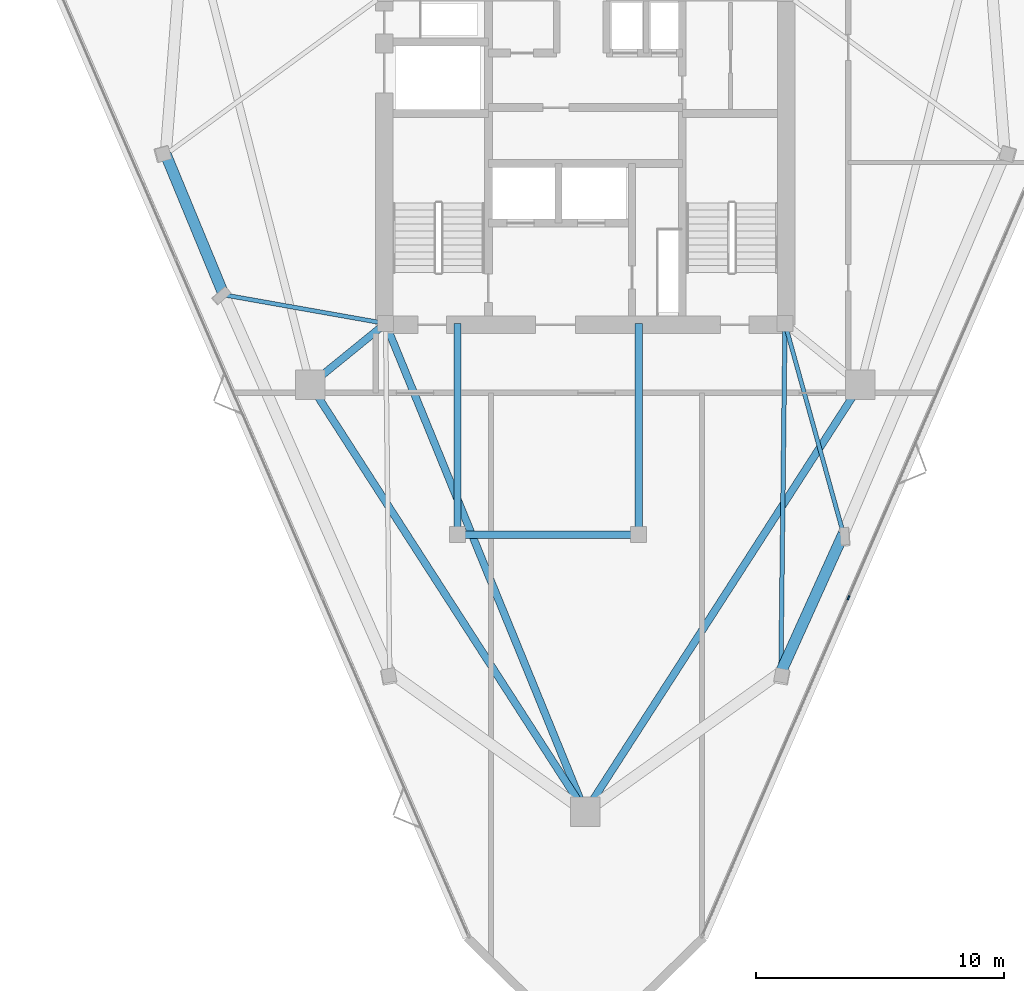
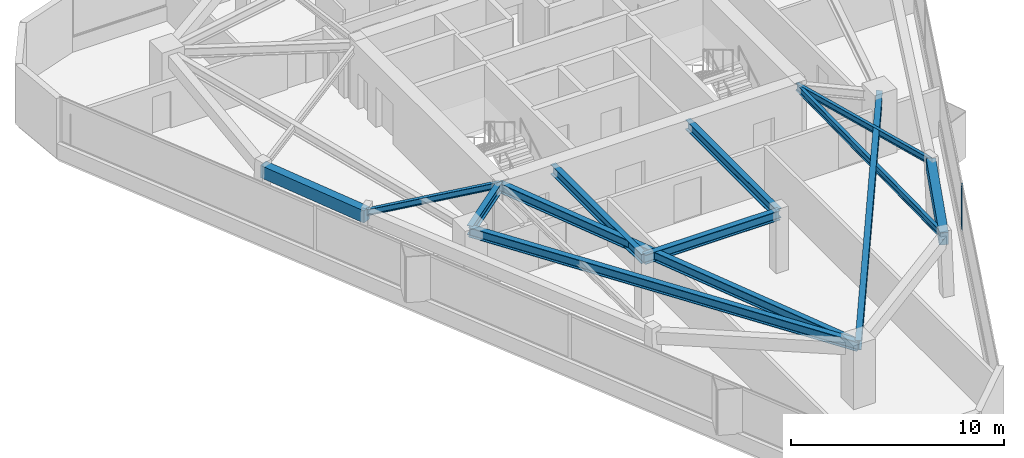
# One storey, part 3 of 11: 12 beams, 1 member, 1 element without a shape of its own.
"""IFC4 building model written with IfcOpenShell, lengths in metres."""

from ifc_helpers import new_model, si_unit, direction, frame, origin, origin_2d, place, context, subcontext, project, spatial, rectangle, i_section, extrude, material, layer, layer_set, material_profile, profile_set, type_object, element, aggregate, save


model = new_model("IFC4")

# Units and contexts
model_context = context("Model", 3, precision=1e-05, world=origin(), true_north=direction((0.0, 1.0)))
body_context = subcontext(model_context, "Body", "Model", "MODEL_VIEW")
ifc_project = project(units=[si_unit("LENGTHUNIT", "METRE"), si_unit("AREAUNIT", "SQUARE_METRE"), si_unit("VOLUMEUNIT", "CUBIC_METRE"), si_unit("PLANEANGLEUNIT", "RADIAN"), si_unit("MASSUNIT", "GRAM", prefix="KILO")], contexts=[model_context])

# Site, building, storey
site_placement = place(None, origin())
site = spatial("IfcSite", under=ifc_project, at=site_placement, CompositionType="ELEMENT")
building_placement = place(site_placement, origin())
building = spatial("IfcBuilding", under=site, at=building_placement, Name="Talyreon Biosciences Tower", CompositionType="ELEMENT")
storey_placement = place(building_placement, frame((0.0, 0.0, 264.449951171875)))
storey = spatial("IfcBuildingStorey", under=building, at=storey_placement, Name="L70", CompositionType="ELEMENT", Elevation=264.449951171875)

# Curtain wall, member
ifc_material_1 = material(Name="Thermally broken aluminium and low-E glazing", Category="aluminium")
ifc_layer = layer(ifc_material_1, 0.175048828125)
ifc_layer_set = layer_set([ifc_layer], Name="Thermally broken aluminium and low-E glazing")
curtain_wall_type = type_object("IfcCurtainWallType", Name="CurtainWall_Zone5CompLab", PredefinedType="NOTDEFINED", material=ifc_layer_set)
curtain_wall_placement = place(storey_placement, origin())
curtain_wall = element("IfcCurtainWall", 1, at=curtain_wall_placement, inside=storey, type_object=curtain_wall_type, Name="L70 Unitised Curtain Wall FCW-L70-08", PredefinedType="NOTDEFINED")
ifc_material_2 = material(Name="Anodised thermally broken aluminium", Category="aluminium")
ifc_material_profile_1 = material_profile(ifc_material_2, rectangle(XDim=0.06494140625, YDim=0.179931640625, at=origin_2d()), Name="ALUM MULLION 65x180")
ifc_profile_set_1 = profile_set([ifc_material_profile_1], Name="Anodised thermally broken aluminium")
member_type = type_object("IfcMemberType", Name="CWMullion_65x180", PredefinedType="MULLION", material=ifc_profile_set_1)
member_placement = place(storey_placement, frame((76.611572265625, 50.2958984375, 0.81005859375), z_axis=(0.0, 0.0, 1.0), x_axis=(0.917723103703, -0.397220725706, 0.0)))
member = element("IfcMember", 2, at=member_placement, type_object=member_type, Name="CW6 mullion 3", PredefinedType="MULLION", context=body_context, shape_type="SweptSolid", body=[
    extrude(rectangle(XDim=0.06494140625, YDim=0.179931640625, at=origin_2d()), origin(), (0.0, 0.0, 1.0), 2.590087890625),
])
aggregate(curtain_wall, [member])

# Beams
ifc_material_3 = material(Name="Precast concrete C45/55", Category="concrete")
ifc_material_profile_2 = material_profile(ifc_material_3, rectangle(XDim=0.449951171875, YDim=0.699951171875, at=origin_2d()), Name="RCB 450x700")
ifc_profile_set_2 = profile_set([ifc_material_profile_2], Name="Precast concrete C45/55")
beam_type_1 = type_object("IfcBeamType", Name="ExpressedSpandrel_450x700", PredefinedType="SPANDREL", material=ifc_profile_set_2)
beam_1_placement = place(storey_placement, frame((73.884033203125, 47.293701171875, 3.050048828125), z_axis=(0.411945631544, 0.91120842657, 0.0), x_axis=(-0.91120842657, 0.411945631544, 0.0)))
element("IfcBeam", 3, at=beam_1_placement, inside=storey, type_object=beam_type_1, Name="L70 Expressed Horizontal Concrete Spandrel 02", PredefinedType="SPANDREL", context=body_context, shape_type="SweptSolid", body=[
    extrude(rectangle(XDim=0.449951171875, YDim=0.699951171875, at=origin_2d()), origin(), (0.0, 0.0, 1.0), 6.123291015625),
])
beam_2_placement = place(storey_placement, frame((49.087890625, 68.16552734375, 3.050048828125), z_axis=(0.381952654323, -0.924181892192, 0.0), x_axis=(0.924181892192, 0.381952654323, 0.0)))
element("IfcBeam", 4, at=beam_2_placement, inside=storey, type_object=beam_type_1, Name="L70 Expressed Horizontal Concrete Spandrel 10", PredefinedType="SPANDREL", context=body_context, shape_type="SweptSolid", body=[
    extrude(rectangle(XDim=0.449951171875, YDim=0.699951171875, at=origin_2d()), origin(), (0.0, 0.0, 1.0), 6.12353515625),
])
ifc_material_4 = material(Name="Steel SM355", Category="steel")
ifc_material_profile_3 = material_profile(ifc_material_4, i_section(OverallWidth=0.300048828125, OverallDepth=0.550048828125, WebThickness=0.014892578125, FlangeThickness=0.029052734375, FilletRadius=0.027099609375, at=origin_2d()), Name="HE550B")
ifc_profile_set_3 = profile_set([ifc_material_profile_3], Name="Steel SM355")
beam_type_2 = type_object("IfcBeamType", Name="SteelBeam_HE550B", PredefinedType="BEAM", material=ifc_profile_set_3)
for number, where, z_axis, x_axis, name in (
    (5, (66.0, 41.6669921875, 3.125), (0.541463723609, 0.840724114092, 0.0), (-0.840724114092, 0.541463723609, 0.0), "L70 Mega-Ring Girder 1"),
    (6, (54.913818359375, 58.88037109375, 3.125), (0.541463723609, -0.840724114092, 0.0), (0.840724114092, 0.541463723609, 0.0), "L70 Mega-Ring Girder 6"),
):
    element("IfcBeam", number, at=place(storey_placement, frame(where, z_axis=z_axis, x_axis=x_axis)), inside=storey, type_object=beam_type_2, Name=name, PredefinedType="BEAM", context=body_context, shape_type="SweptSolid", body=[
        extrude(i_section(OverallWidth=0.300048828125, OverallDepth=0.550048828125, WebThickness=0.014892578125, FlangeThickness=0.029052734375, FilletRadius=0.027099609375, at=origin_2d()), origin(), (0.0, 0.0, 1.0), 20.474365234375),
    ])
beam_3_placement = place(storey_placement, frame((57.949951171875, 61.35009765625, 3.125), z_axis=(0.378547014545, -0.925582064314, 0.0), x_axis=(0.925582064314, 0.378547014545, 0.0)))
element("IfcBeam", 7, at=beam_3_placement, inside=storey, type_object=beam_type_2, Name="L70 Radial Primary Girder 1", PredefinedType="BEAM", context=body_context, shape_type="SweptSolid", body=[
    extrude(i_section(OverallWidth=0.300048828125, OverallDepth=0.550048828125, WebThickness=0.014892578125, FlangeThickness=0.029052734375, FilletRadius=0.027099609375, at=origin_2d()), origin(), (0.0, 0.0, 1.0), 21.265625),
])
beam_4_placement = place(storey_placement, frame((57.949951171875, 61.35009765625, 3.125), z_axis=(-0.775755154013, -0.631034025249, 0.0), x_axis=(0.631034025249, -0.775755154013, 0.0)))
element("IfcBeam", 8, at=beam_4_placement, inside=storey, type_object=beam_type_2, Name="L70 Radial Primary Girder 6", PredefinedType="BEAM", context=body_context, shape_type="SweptSolid", body=[
    extrude(i_section(OverallWidth=0.300048828125, OverallDepth=0.550048828125, WebThickness=0.014892578125, FlangeThickness=0.029052734375, FilletRadius=0.027099609375, at=origin_2d()), origin(), (0.0, 0.0, 1.0), 3.913818359375),
])
beam_5_placement = place(storey_placement, frame((60.85009765625, 52.840087890625, 3.125), z_axis=(1.0, 0.0, 0.0), x_axis=(0.0, 1.0, 0.0)))
element("IfcBeam", 9, at=beam_5_placement, inside=storey, type_object=beam_type_2, Name="L70 Crown Shaft Spine Girder S", PredefinedType="BEAM", context=body_context, shape_type="SweptSolid", body=[
    extrude(i_section(OverallWidth=0.300048828125, OverallDepth=0.550048828125, WebThickness=0.014892578125, FlangeThickness=0.029052734375, FilletRadius=0.027099609375, at=origin_2d()), origin(), (0.0, 0.0, 1.0), 7.2998046875),
])
for number, where, z_axis, x_axis, name in (
    (10, (60.85009765625, 52.840087890625, 3.125), (0.0, 1.0, 0.0), (-1.0, 0.0, 0.0), "L70 Crown Shaft Tie Girder W"),
    (11, (68.14990234375, 52.840087890625, 3.125), (0.0, 1.0, 0.0), (-1.0, 0.0, 0.0), "L70 Crown Shaft Tie Girder E"),
):
    element("IfcBeam", number, at=place(storey_placement, frame(where, z_axis=z_axis, x_axis=x_axis)), inside=storey, type_object=beam_type_2, Name=name, PredefinedType="BEAM", context=body_context, shape_type="SweptSolid", body=[
        extrude(i_section(OverallWidth=0.300048828125, OverallDepth=0.550048828125, WebThickness=0.014892578125, FlangeThickness=0.029052734375, FilletRadius=0.027099609375, at=origin_2d()), origin(), (0.0, 0.0, 1.0), 8.510009765625),
    ])
ifc_material_profile_4 = material_profile(ifc_material_4, i_section(OverallWidth=0.169921875, OverallDepth=0.360107421875, WebThickness=0.008056640625, FlangeThickness=0.0126953125, FilletRadius=0.01806640625, at=origin_2d()), Name="IPE360")
ifc_profile_set_4 = profile_set([ifc_material_profile_4], Name="Steel SM355")
beam_type_3 = type_object("IfcBeamType", Name="SteelJoist_IPE360", PredefinedType="JOIST", material=ifc_profile_set_4)
beam_6_placement = place(storey_placement, frame((74.050048828125, 61.35009765625, 3.219970703125), z_axis=(0.267831341963, -0.963465812711, 0.0), x_axis=(0.963465812711, 0.267831341963, 0.0)))
element("IfcBeam", 12, at=beam_6_placement, inside=storey, type_object=beam_type_3, Name="L70 Radial Composite Floor Joist PL-SE", PredefinedType="JOIST", context=body_context, shape_type="SweptSolid", body=[
    extrude(i_section(OverallWidth=0.169921875, OverallDepth=0.360107421875, WebThickness=0.008056640625, FlangeThickness=0.0126953125, FilletRadius=0.01806640625, at=origin_2d()), origin(), (0.0, 0.0, 1.0), 8.79833984375),
])
beam_7_placement = place(storey_placement, frame((57.949951171875, 61.35009765625, 3.219970703125), z_axis=(-0.984651573003, 0.174531601098, 0.0), x_axis=(-0.174531601098, -0.984651573003, 0.0)))
element("IfcBeam", 13, at=beam_7_placement, inside=storey, type_object=beam_type_3, Name="L70 Radial Composite Floor Joist PL-SW", PredefinedType="JOIST", context=body_context, shape_type="SweptSolid", body=[
    extrude(i_section(OverallWidth=0.169921875, OverallDepth=0.360107421875, WebThickness=0.008056640625, FlangeThickness=0.0126953125, FilletRadius=0.01806640625, at=origin_2d()), origin(), (0.0, 0.0, 1.0), 6.624755859375),
])
ifc_material_profile_5 = material_profile(ifc_material_4, i_section(OverallWidth=0.179931640625, OverallDepth=0.39990234375, WebThickness=0.008544921875, FlangeThickness=0.013427734375, FilletRadius=0.02099609375, at=origin_2d()), Name="IPE400")
ifc_profile_set_5 = profile_set([ifc_material_profile_5], Name="Steel SM355")
beam_type_4 = type_object("IfcBeamType", Name="SteelJoist_IPE400", PredefinedType="JOIST", material=ifc_profile_set_5)
beam_8_placement = place(storey_placement, frame((74.050048828125, 61.35009765625, 3.199951171875), z_axis=(-0.011809858057, -0.999930261195, 0.0), x_axis=(0.999930261195, -0.011809858057, 0.0)))
element("IfcBeam", 14, at=beam_8_placement, inside=storey, type_object=beam_type_4, Name="L70 Radial Composite Floor Joist PC-SE1", PredefinedType="JOIST", context=body_context, shape_type="SweptSolid", body=[
    extrude(i_section(OverallWidth=0.179931640625, OverallDepth=0.39990234375, WebThickness=0.008544921875, FlangeThickness=0.013427734375, FilletRadius=0.02099609375, at=origin_2d()), origin(), (0.0, 0.0, 1.0), 14.057373046875),
])

save(model, "model.ifc")
